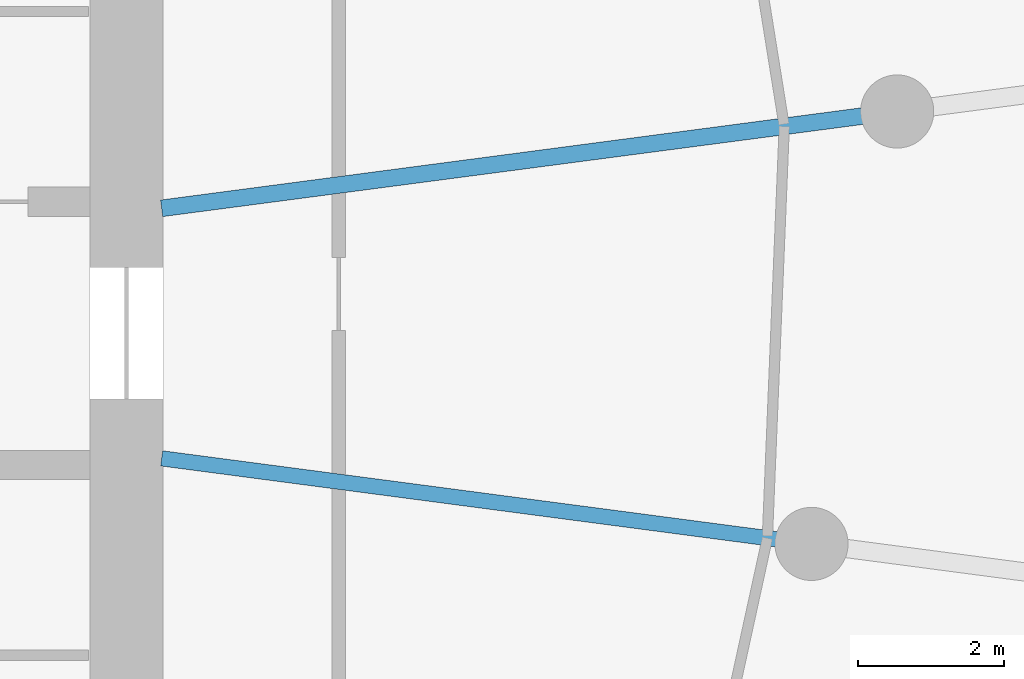
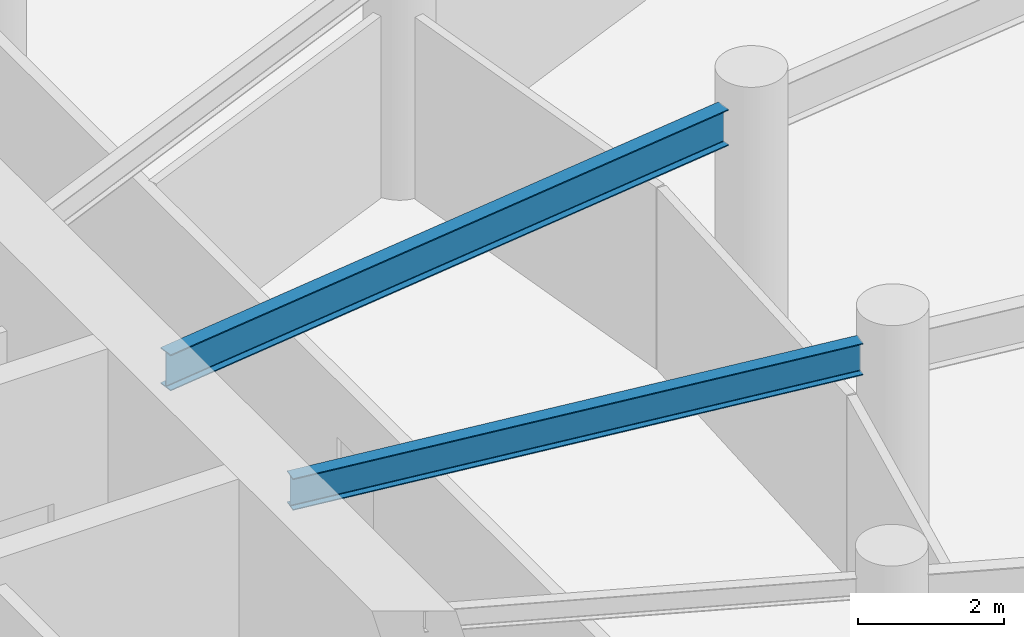
# One storey, part 5 of 18: 2 beams.
"""IFC4 building model written with IfcOpenShell, lengths in metres."""

from ifc_helpers import new_model, si_unit, direction, frame, origin, origin_2d, place, context, subcontext, project, spatial, i_section, extrude, source, transform, mapped, material, material_profile, profile_set, type_object, element, save


model = new_model("IFC4")

# Units and contexts
model_context = context("Model", 3, precision=1e-05, world=origin(), true_north=direction((0.0, 1.0)))
body_context = subcontext(model_context, "Body", "Model", "MODEL_VIEW")
ifc_project = project(units=[si_unit("LENGTHUNIT", "METRE"), si_unit("AREAUNIT", "SQUARE_METRE"), si_unit("VOLUMEUNIT", "CUBIC_METRE"), si_unit("PLANEANGLEUNIT", "RADIAN"), si_unit("MASSUNIT", "GRAM", prefix="KILO")], contexts=[model_context])

# Site, building, storey
site_placement = place(None, origin())
site = spatial("IfcSite", under=ifc_project, at=site_placement, CompositionType="ELEMENT")
building_placement = place(site_placement, origin())
building = spatial("IfcBuilding", under=site, at=building_placement, Name="Spindrift Exchange Tower", CompositionType="ELEMENT")
storey_placement = place(building_placement, frame((0.0, 0.0, 40.199951171875)))
storey = spatial("IfcBuildingStorey", under=building, at=storey_placement, Name="L09", CompositionType="ELEMENT", Elevation=40.199951171875)

# Beams
ifc_material = material(Name="Steel Grade 300", Category="steel")
ifc_material_profile_1 = material_profile(ifc_material, i_section(OverallWidth=0.22802734375, OverallDepth=0.60693359375, WebThickness=0.01123046875, FlangeThickness=0.017333984375, FilletRadius=0.013916015625, at=origin_2d()), Name="610UB113")
ifc_profile_set_1 = profile_set([ifc_material_profile_1], Name="Steel Grade 300")
beam_type_1 = type_object("IfcBeamType", Name="Floor Beam 610UB113 Steel Grade 300", PredefinedType="BEAM", material=ifc_profile_set_1)
shared_shape_1 = source(origin(), body_context, "Body", "SweptSolid", [
    extrude(i_section(OverallWidth=0.22802734375, OverallDepth=0.60693359375, WebThickness=0.01123046875, FlangeThickness=0.017333984375, FilletRadius=0.013916015625, at=origin_2d()), origin(), (0.0, 0.0, 1.0), 9.660400390625),
])
beam_1_placement = place(storey_placement, frame((64.980224609375, 49.708984375, 3.646484375), z_axis=(0.99144767089, 0.130504850054, 0.0), x_axis=(-0.130504850054, 0.99144767089, 0.0)))
element("IfcBeam", 1, at=beam_1_placement, inside=storey, type_object=beam_type_1, Name="L09 radial beam R01A", PredefinedType="BEAM", context=body_context, shape_type="MappedRepresentation", body=[
    mapped(shared_shape_1, transform((0.0, 0.0, 0.0), scale=1.0)),
])
ifc_material_profile_2 = material_profile(ifc_material, i_section(OverallWidth=0.208984375, OverallDepth=0.532958984375, WebThickness=0.01025390625, FlangeThickness=0.015625, FilletRadius=0.013916015625, at=origin_2d()), Name="530UB92.4")
ifc_profile_set_2 = profile_set([ifc_material_profile_2], Name="Steel Grade 300")
beam_type_2 = type_object("IfcBeamType", Name="Floor Beam 530UB92.4 Steel Grade 300", PredefinedType="BEAM", material=ifc_profile_set_2)
shared_shape_2 = source(origin(), body_context, "Body", "SweptSolid", [
    extrude(i_section(OverallWidth=0.208984375, OverallDepth=0.532958984375, WebThickness=0.01025390625, FlangeThickness=0.015625, FilletRadius=0.013916015625, at=origin_2d()), origin(), (0.0, 0.0, 1.0), 8.4794921875),
])
beam_2_placement = place(storey_placement, frame((64.980224609375, 46.291015625, 3.68359375), z_axis=(0.991446551951, -0.13051335037, 0.0), x_axis=(0.13051335037, 0.991446551951, 0.0)))
element("IfcBeam", 2, at=beam_2_placement, inside=storey, type_object=beam_type_2, Name="L09 radial beam R24A", PredefinedType="BEAM", context=body_context, shape_type="MappedRepresentation", body=[
    mapped(shared_shape_2, transform((0.0, 0.0, 0.0), scale=1.0)),
])

save(model, "model.ifc")
